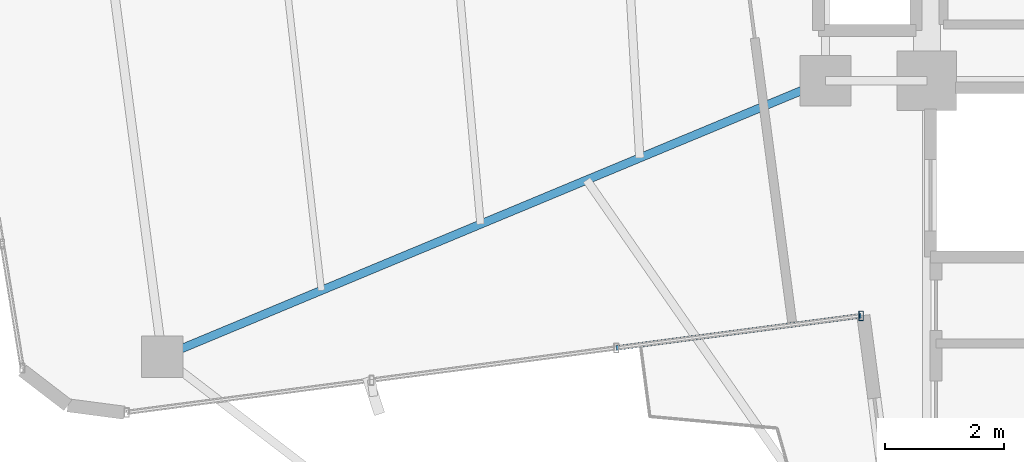
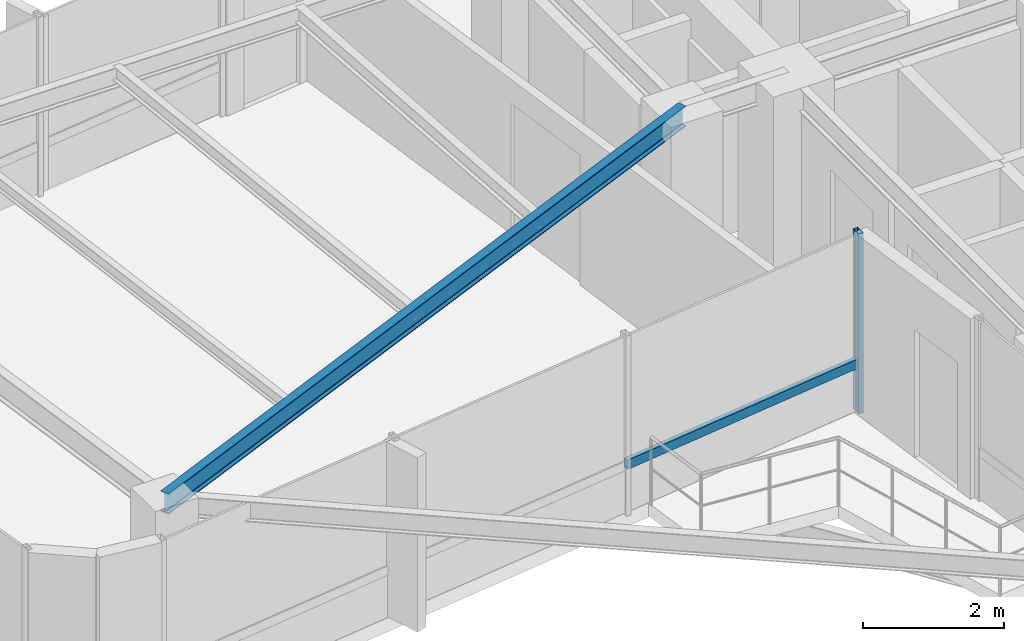
# One storey, part 3 of 21: 2 members, 1 beam, 1 element without a shape of its own.
"""IFC4 building model written with IfcOpenShell, lengths in metres."""

from ifc_helpers import new_model, si_unit, direction, frame, origin, origin_2d, place, context, subcontext, project, spatial, hollow_rectangle, i_section, extrude, source, transform, mapped, material, material_profile, profile_set, type_object, element, aggregate, save


model = new_model("IFC4")

# Units and contexts
model_context = context("Model", 3, precision=1e-05, world=origin(), true_north=direction((0.0, 1.0)))
body_context = subcontext(model_context, "Body", "Model", "MODEL_VIEW")
ifc_project = project(units=[si_unit("LENGTHUNIT", "METRE"), si_unit("AREAUNIT", "SQUARE_METRE"), si_unit("VOLUMEUNIT", "CUBIC_METRE"), si_unit("PLANEANGLEUNIT", "RADIAN"), si_unit("MASSUNIT", "GRAM", prefix="KILO")], contexts=[model_context])

# Site, building, storey
site_placement = place(None, origin())
site = spatial("IfcSite", under=ifc_project, at=site_placement, CompositionType="ELEMENT")
building_placement = place(site_placement, origin())
building = spatial("IfcBuilding", under=site, at=building_placement, Name="Sahyath Konkavel Grand Hotel", CompositionType="ELEMENT")
storey_placement = place(building_placement, frame((0.0, 0.0, 213.199951171875)))
storey = spatial("IfcBuildingStorey", under=building, at=storey_placement, Name="L59", CompositionType="ELEMENT", Elevation=213.199951171875)

# Beam
ifc_material_1 = material(Name="Steel E350", Category="steel")
ifc_material_profile_1 = material_profile(ifc_material_1, i_section(OverallWidth=0.139892578125, OverallDepth=0.35009765625, WebThickness=0.008056640625, FlangeThickness=0.01416015625, FilletRadius=0.013916015625, at=origin_2d()), Name="ISMB 350")
ifc_profile_set_1 = profile_set([ifc_material_profile_1], Name="Steel E350")
beam_type = type_object("IfcBeamType", Name="BM-ISMB350", PredefinedType="BEAM", material=ifc_profile_set_1)
shared_shape_1 = source(origin(), body_context, "Body", "SweptSolid", [
    extrude(i_section(OverallWidth=0.139892578125, OverallDepth=0.35009765625, WebThickness=0.008056640625, FlangeThickness=0.01416015625, FilletRadius=0.013916015625, at=origin_2d()), origin(), (0.0, 0.0, 1.0), 12.049560546875),
])
beam_placement = place(storey_placement, frame((-5.5, -2.39990234375, 2.93505859375), z_axis=(-0.923226714744, -0.384255687248, 0.0), x_axis=(0.384255687248, -0.923226714744, 0.0)))
element("IfcBeam", 1, at=beam_placement, inside=storey, type_object=beam_type, Name="L59 Cruciform Radial Girder WB", PredefinedType="BEAM", context=body_context, shape_type="MappedRepresentation", body=[
    mapped(shared_shape_1, transform((0.0, 0.0, 0.0), scale=1.0)),
])

# Curtain wall, members
ifc_material_2 = material(Name="Anodised Bronze Aluminium & Low-E Glazing", Category="aluminium")
curtain_wall_type = type_object("IfcCurtainWallType", Name="CW-ZONE4", PredefinedType="NOTDEFINED", material=ifc_material_2)
curtain_wall_placement = place(storey_placement, origin())
curtain_wall = element("IfcCurtainWall", 2, at=curtain_wall_placement, inside=storey, type_object=curtain_wall_type, Name="L59 Unitised Curtain Wall F23", PredefinedType="NOTDEFINED")
ifc_material_3 = material(Name="Anodised Bronze Aluminium", Category="aluminium")
ifc_material_profile_2 = material_profile(ifc_material_3, hollow_rectangle(XDim=0.080078125, YDim=0.159912109375, WallThickness=0.006103515625, at=origin_2d()), Name="RHS 160x80x6")
ifc_profile_set_2 = profile_set([ifc_material_profile_2], Name="Anodised Bronze Aluminium")
member_type_1 = type_object("IfcMemberType", Name="CW-MUL-160", PredefinedType="MULLION", material=ifc_profile_set_2)
shared_shape_2 = source(origin(), body_context, "Body", "SweptSolid", [
    extrude(hollow_rectangle(XDim=0.080078125, YDim=0.159912109375, WallThickness=0.006103515625, at=origin_2d()), origin(), (0.0, 0.0, 1.0), 3.110107421875),
])
member_1_placement = place(storey_placement, frame((-4.90380859375, -6.34423828125, 0.0), z_axis=(0.0, 0.0, 1.0), x_axis=(1.0, 0.0, 0.0)))
member_1 = element("IfcMember", 3, at=member_1_placement, type_object=member_type_1, Name="L59 Curtain Wall Mullion F23-3", PredefinedType="MULLION", context=body_context, shape_type="MappedRepresentation", body=[
    mapped(shared_shape_2, transform((0.0, 0.0, 0.0), scale=1.0)),
])
ifc_material_profile_3 = material_profile(ifc_material_3, hollow_rectangle(XDim=0.080078125, YDim=0.159912109375, WallThickness=0.006103515625, at=origin_2d()), Name="RHS 160x80x6")
ifc_profile_set_3 = profile_set([ifc_material_profile_3], Name="Anodised Bronze Aluminium")
member_type_2 = type_object("IfcMemberType", Name="CW-TRN-160", PredefinedType="USERDEFINED", material=ifc_profile_set_3)
shared_shape_3 = source(origin(), body_context, "Body", "SweptSolid", [
    extrude(hollow_rectangle(XDim=0.080078125, YDim=0.159912109375, WallThickness=0.006103515625, at=origin_2d()), origin(), (0.0, 0.0, 1.0), 4.14013671875),
])
member_2_placement = place(storey_placement, frame((-9.008544921875, -6.884765625, 0.85009765625), z_axis=(0.99144084268, 0.130556713596, 0.0), x_axis=(-0.130556713596, 0.99144084268, 0.0)))
member_2 = element("IfcMember", 4, at=member_2_placement, type_object=member_type_2, Name="L59 Curtain Wall Transom F23-2-spandrel", ObjectType="TRANSOM", PredefinedType="USERDEFINED", context=body_context, shape_type="MappedRepresentation", body=[
    mapped(shared_shape_3, transform((0.0, 0.0, 0.0), scale=1.0)),
])
aggregate(curtain_wall, [member_1, member_2])

save(model, "model.ifc")
